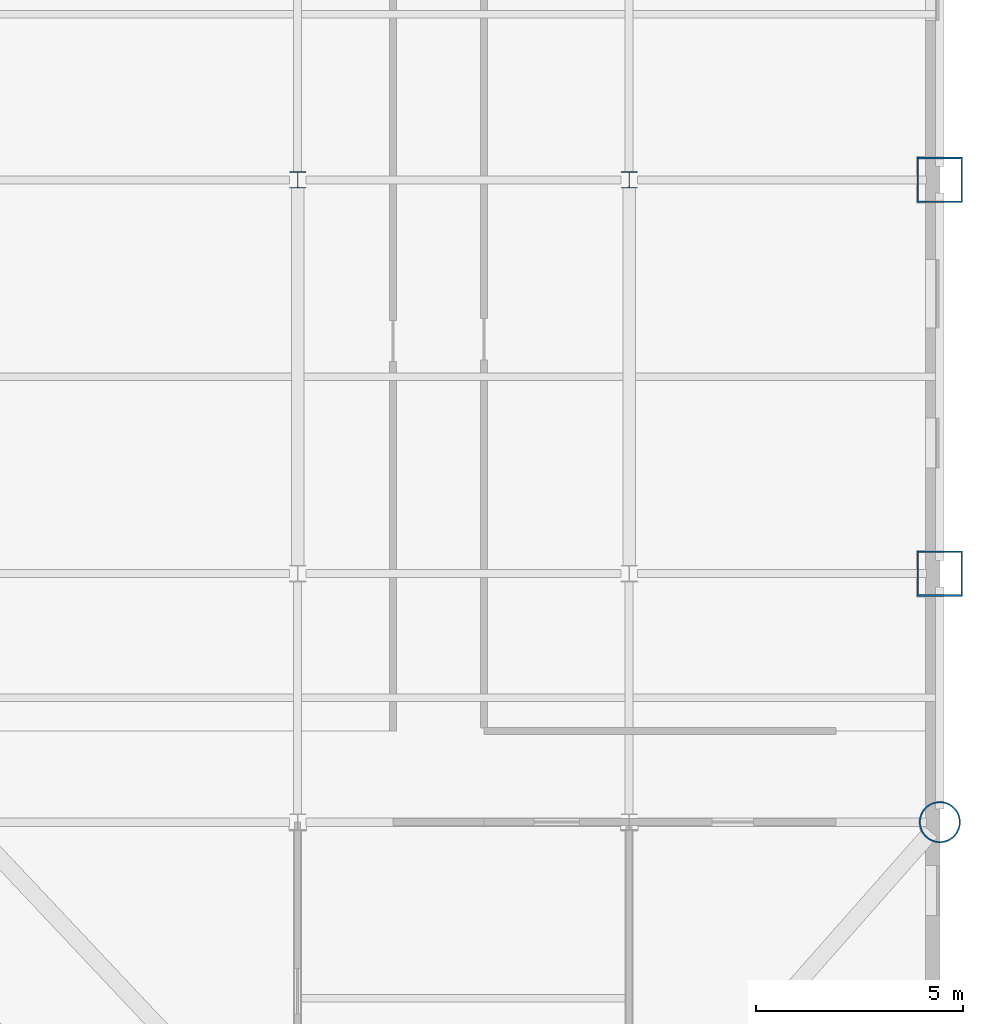
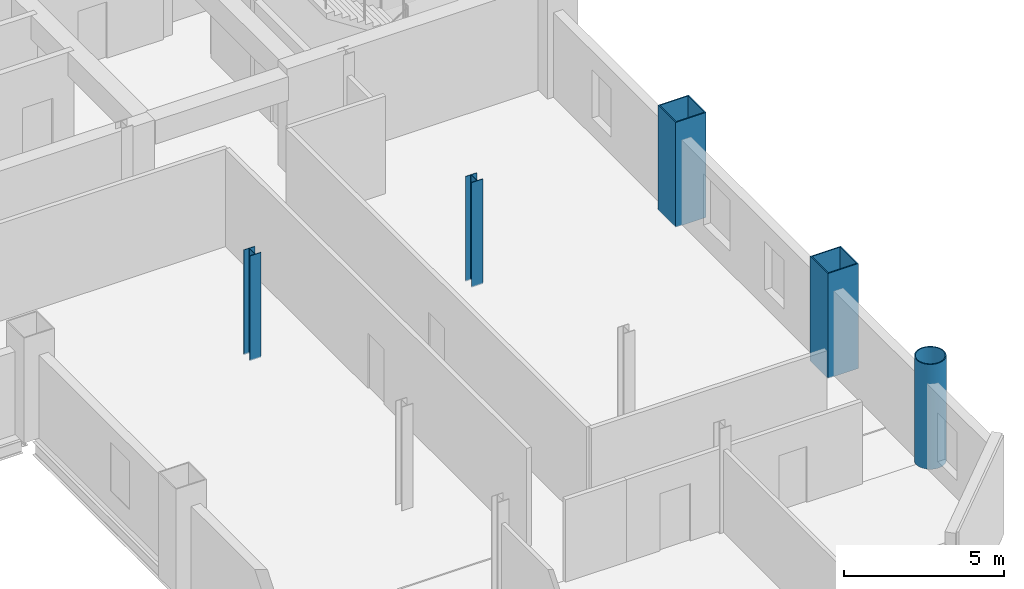
# One storey, part 2 of 10: 5 columns.
"""IFC4 building model written with IfcOpenShell, lengths in metres."""

from ifc_helpers import new_model, si_unit, direction, frame, origin, origin_2d, place, context, subcontext, project, spatial, hollow_rectangle, hollow_circle, i_section, extrude, material, material_profile, profile_set, type_object, element, save


model = new_model("IFC4")

# Units and contexts
model_context = context("Model", 3, precision=1e-05, world=origin(), true_north=direction((0.0, 1.0)))
body_context = subcontext(model_context, "Body", "Model", "MODEL_VIEW")
ifc_project = project(units=[si_unit("LENGTHUNIT", "METRE"), si_unit("AREAUNIT", "SQUARE_METRE"), si_unit("VOLUMEUNIT", "CUBIC_METRE"), si_unit("PLANEANGLEUNIT", "RADIAN"), si_unit("MASSUNIT", "GRAM", prefix="KILO")], contexts=[model_context])

# Site, building, storey
site_placement = place(None, origin())
site = spatial("IfcSite", under=ifc_project, at=site_placement, CompositionType="ELEMENT")
building_placement = place(site_placement, origin())
building = spatial("IfcBuilding", under=site, at=building_placement, Name="Qianrong Seaharbour Tower", CompositionType="ELEMENT")
storey_placement = place(building_placement, frame((0.0, 0.0, 135.0)))
storey = spatial("IfcBuildingStorey", under=building, at=storey_placement, Name="L32", CompositionType="ELEMENT", Elevation=135.0)

# Columns
ifc_material = material(Name="Structural steel SN490B", Category="steel")
ifc_material_profile_1 = material_profile(ifc_material, hollow_rectangle(XDim=1.10009765625, YDim=1.10009765625, WallThickness=0.0400390625, at=origin_2d()), Name="BOX1100x1100x40")
ifc_profile_set_1 = profile_set([ifc_material_profile_1], Name="Structural steel SN490B")
column_type_1 = type_object("IfcColumnType", Name="COL-CFT-1100", PredefinedType="COLUMN", material=ifc_profile_set_1)
for number, where, z_axis, x_axis, name in (
    (1, (64.0, 18.5, 0.0), (0.0, 0.0, 1.0), (1.0, 0.0, 0.0), "L32 Column MC-3 at G9/GD"),
    (2, (64.0, 28.0, 0.0), (0.0, 0.0, 1.0), (1.0, 0.0, 0.0), "L32 Column MC-3 at G9/GE"),
):
    element("IfcColumn", number, at=place(storey_placement, frame(where, z_axis=z_axis, x_axis=x_axis)), inside=storey, type_object=column_type_1, Name=name, PredefinedType="COLUMN", context=body_context, shape_type="SweptSolid", body=[
        extrude(hollow_rectangle(XDim=1.10009765625, YDim=1.10009765625, WallThickness=0.0400390625, at=origin_2d()), origin(), (0.0, 0.0, 1.0), 4.0),
    ])
ifc_material_profile_2 = material_profile(ifc_material, hollow_circle(Radius=0.5, WallThickness=0.035888671875, at=origin_2d()), Name="CHS1000x36")
ifc_profile_set_2 = profile_set([ifc_material_profile_2], Name="Structural steel SN490B")
column_type_2 = type_object("IfcColumnType", Name="COL-CHS-1000", PredefinedType="COLUMN", material=ifc_profile_set_2)
column_placement = place(storey_placement, frame((64.0, 12.5, 0.0), z_axis=(0.0, 0.0, 1.0), x_axis=(1.0, 0.0, 0.0)))
element("IfcColumn", 3, at=column_placement, inside=storey, type_object=column_type_2, Name="L32 Column CC-2 at G9/GC", PredefinedType="COLUMN", context=body_context, shape_type="SweptSolid", body=[
    extrude(hollow_circle(Radius=0.5, WallThickness=0.035888671875, at=origin_2d()), origin(), (0.0, 0.0, 1.0), 4.0),
])
ifc_material_profile_3 = material_profile(ifc_material, i_section(OverallWidth=0.39990234375, OverallDepth=0.39990234375, WebThickness=0.012939453125, FlangeThickness=0.02099609375, FilletRadius=0.02197265625, at=origin_2d()), Name="H400x400x13x21")
ifc_profile_set_3 = profile_set([ifc_material_profile_3], Name="Structural steel SN490B")
column_type_3 = type_object("IfcColumnType", Name="COL-INT-H400", PredefinedType="COLUMN", material=ifc_profile_set_3)
for number, where, z_axis, x_axis, name in (
    (4, (48.5, 28.0, 0.0), (0.0, 0.0, 1.0), (1.0, 0.0, 0.0), "L32 Column IC-3 at G7/GE"),
    (5, (56.5, 28.0, 0.0), (0.0, 0.0, 1.0), (1.0, 0.0, 0.0), "L32 Column IC-3 at G8/GE"),
):
    element("IfcColumn", number, at=place(storey_placement, frame(where, z_axis=z_axis, x_axis=x_axis)), inside=storey, type_object=column_type_3, Name=name, PredefinedType="COLUMN", context=body_context, shape_type="SweptSolid", body=[
        extrude(i_section(OverallWidth=0.39990234375, OverallDepth=0.39990234375, WebThickness=0.012939453125, FlangeThickness=0.02099609375, FilletRadius=0.02197265625, at=origin_2d()), origin(), (0.0, 0.0, 1.0), 4.0),
    ])

save(model, "model.ifc")
